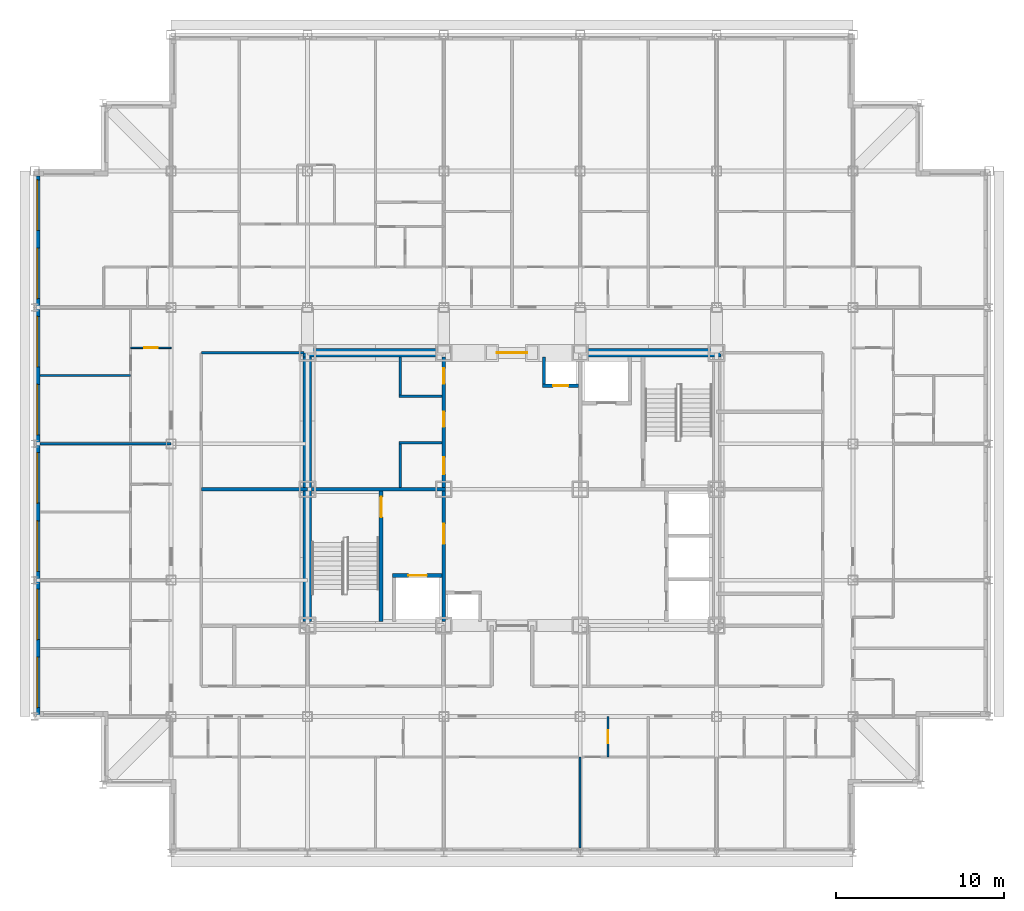
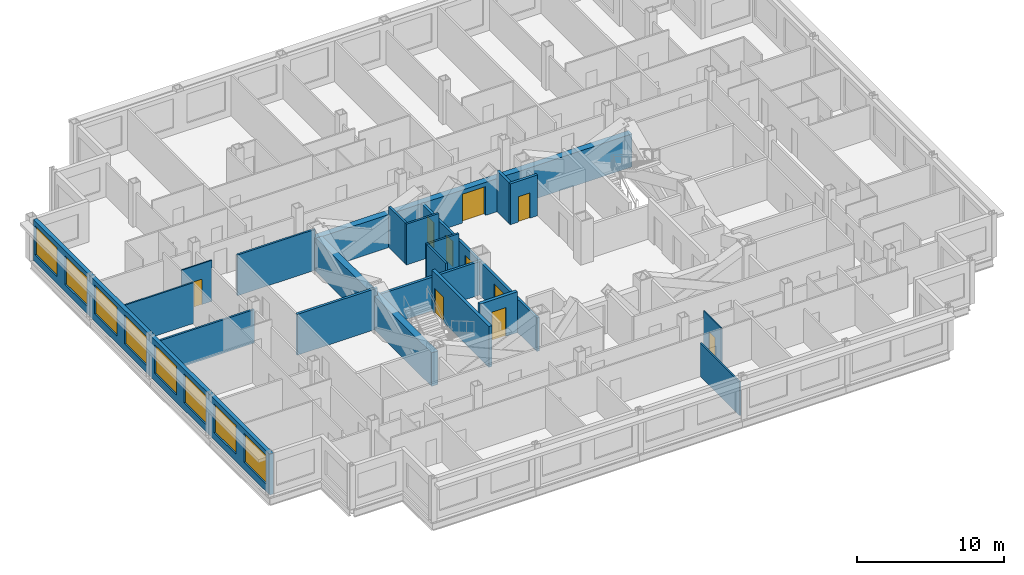
# One storey, part 6 of 12: 21 walls, 10 doors, 8 windows, 18 openings.
"""IFC4 building model written with IfcOpenShell, lengths in metres."""

from ifc_helpers import new_model, si_unit, direction, frame, frame_2d, origin, place, context, subcontext, project, spatial, rectangle, extrude, material, layer, layer_set, type_object, element, fill, save


model = new_model("IFC4")

# Units and contexts
model_context = context("Model", 3, precision=1e-05, world=origin(), true_north=direction((0.0, 1.0)))
body_context = subcontext(model_context, "Body", "Model", "MODEL_VIEW")
ifc_project = project(units=[si_unit("LENGTHUNIT", "METRE"), si_unit("AREAUNIT", "SQUARE_METRE"), si_unit("VOLUMEUNIT", "CUBIC_METRE"), si_unit("PLANEANGLEUNIT", "RADIAN"), si_unit("MASSUNIT", "GRAM", prefix="KILO")], contexts=[model_context])

# Site, building, storey
site_placement = place(None, origin())
site = spatial("IfcSite", under=ifc_project, at=site_placement, CompositionType="ELEMENT")
building_placement = place(site_placement, origin())
building = spatial("IfcBuilding", under=site, at=building_placement, Name="Kopane Lantern Tower", CompositionType="ELEMENT")
storey_placement = place(building_placement, frame((0.0, 0.0, 199.199951171875)))
storey = spatial("IfcBuildingStorey", under=building, at=storey_placement, Name="L51", CompositionType="ELEMENT", Elevation=199.199951171875)

# Walls
ifc_material_1 = material(Name="Gypsum board on steel studs", Category="steel")
ifc_layer_1 = layer(ifc_material_1, 0.1201171875)
ifc_layer_set_1 = layer_set([ifc_layer_1], Name="APARTMENT INTERNAL WALL 120")
wall_type_1 = type_object("IfcWallType", Name="APARTMENT INTERNAL WALL 120", PredefinedType="PARTITIONING", material=ifc_layer_set_1)
wall_1_placement = place(storey_placement, frame((32.39990234375, 16.5, 0.0), z_axis=(0.0, 0.0, 1.0), x_axis=(0.0, -1.0, 0.0)))
element("IfcWall", 1, at=wall_1_placement, inside=storey, type_object=wall_type_1, Name="Apartment Internal Wall 120 L51", PredefinedType="PARTITIONING", context=body_context, shape_type="SweptSolid", body=[
    extrude(rectangle(XDim=5.39990234375, YDim=0.1201171875, at=frame_2d((2.699951171875, 0.0))), origin(), (0.0, 0.0, 1.0), 2.77783203125),
])
wall_2_placement = place(storey_placement, frame((5.699951171875, 39.14990234375, 0.0), z_axis=(0.0, 0.0, 1.0), x_axis=(-1.0, 0.0, 0.0)))
element("IfcWall", 2, at=wall_2_placement, inside=storey, type_object=wall_type_1, Name="Apartment Internal Wall 120 L51", PredefinedType="PARTITIONING", context=body_context, shape_type="SweptSolid", body=[
    extrude(rectangle(XDim=5.39990234375, YDim=0.1201171875, at=frame_2d((2.699951171875, 0.0))), origin(), (0.0, 0.0, 1.0), 3.39013671875),
])

# Wall, opening, door
ifc_material_2 = material(Name="Moisture-resistant board on steel studs", Category="steel")
ifc_layer_2 = layer(ifc_material_2, 0.10009765625)
ifc_layer_set_2 = layer_set([ifc_layer_2], Name="BATHROOM WALL 100")
wall_type_2 = type_object("IfcWallType", Name="BATHROOM WALL 100", PredefinedType="PARTITIONING", material=ifc_layer_set_2)
wall_3_placement = place(storey_placement, frame((34.050048828125, 18.89990234375, 0.0), z_axis=(0.0, 0.0, 1.0), x_axis=(0.0, -1.0, 0.0)))
wall_3 = element("IfcWall", 3, at=wall_3_placement, inside=storey, type_object=wall_type_2, Name="Bathroom Wall 100 L51", PredefinedType="PARTITIONING", context=body_context, shape_type="SweptSolid", body=[
    extrude(rectangle(XDim=2.39990234375, YDim=0.10009765625, at=frame_2d((1.199951171875, 0.0))), origin(), (0.0, 0.0, 1.0), 3.39013671875),
])
opening_1_placement = place(wall_3_placement, frame((0.800048828125, 0.0, 0.0)))
opening_1 = element("IfcOpeningElement", 4, at=opening_1_placement, cuts=wall_3, Name="Opening L51-018", PredefinedType="OPENING", context=body_context, shape_type="SweptSolid", body=[
    extrude(rectangle(XDim=0.800048828125, YDim=2.10009765625, at=frame_2d((0.39990234375, 1.050048828125))), frame((0.0, 0.06005859375, 0.0), z_axis=(0.0, -1.0, 0.0), x_axis=(1.0, 0.0, 0.0)), (0.0, 0.0, 1.0), 0.1201171875),
])
ifc_material_3 = material(Name="Timber door set", Category="wood")
door_type_1 = type_object("IfcDoorType", Name="DOOR D2 800x2100", OperationType="SINGLE_SWING_LEFT", PredefinedType="DOOR", material=ifc_material_3)
door_1_placement = place(opening_1_placement, origin())
door_1 = element("IfcDoor", 5, at=door_1_placement, inside=storey, type_object=door_type_1, Name="Door L51-018", OperationType="SINGLE_SWING_LEFT", OverallHeight=2.10009765625, OverallWidth=0.800048828125, PredefinedType="DOOR", context=body_context, shape_type="SweptSolid", body=[
    extrude(rectangle(XDim=0.800048828125, YDim=2.10009765625, at=frame_2d((0.39990234375, 1.050048828125))), frame((0.0, 0.02490234375, 0.0), z_axis=(0.0, -1.0, 0.0), x_axis=(1.0, 0.0, 0.0)), (0.0, 0.0, 1.0), 0.050048828125),
])
fill(opening_1, door_1)

wall_4_placement = place(storey_placement, frame((8.10009765625, 40.800048828125, 0.0), z_axis=(0.0, 0.0, 1.0), x_axis=(-1.0, 0.0, 0.0)))
wall_4 = element("IfcWall", 6, at=wall_4_placement, inside=storey, type_object=wall_type_2, Name="Bathroom Wall 100 L51", PredefinedType="PARTITIONING", context=body_context, shape_type="SweptSolid", body=[
    extrude(rectangle(XDim=2.400146484375, YDim=0.10009765625, at=frame_2d((1.2001953125, 0.0))), origin(), (0.0, 0.0, 1.0), 3.39013671875),
])
opening_2_placement = place(wall_4_placement, frame((0.800048828125, 0.0, 0.0)))
opening_2 = element("IfcOpeningElement", 7, at=opening_2_placement, cuts=wall_4, Name="Opening L51-048", PredefinedType="OPENING", context=body_context, shape_type="SweptSolid", body=[
    extrude(rectangle(XDim=0.800048828125, YDim=2.10009765625, at=frame_2d((0.39990234375, 1.050048828125))), frame((0.0, 0.06005859375, 0.0), z_axis=(0.0, -1.0, 0.0), x_axis=(1.0, 0.0, 0.0)), (0.0, 0.0, 1.0), 0.1201171875),
])
door_2_placement = place(opening_2_placement, origin())
door_2 = element("IfcDoor", 8, at=door_2_placement, inside=storey, type_object=door_type_1, Name="Door L51-048", OperationType="SINGLE_SWING_RIGHT", OverallHeight=2.10009765625, OverallWidth=0.800048828125, PredefinedType="DOOR", context=body_context, shape_type="SweptSolid", body=[
    extrude(rectangle(XDim=0.800048828125, YDim=2.10009765625, at=frame_2d((0.39990234375, 1.050048828125))), frame((0.0, 0.02490234375, 0.0), z_axis=(0.0, -1.0, 0.0), x_axis=(1.0, 0.0, 0.0)), (0.0, 0.0, 1.0), 0.050048828125),
])
fill(opening_2, door_2)

ifc_material_4 = material(Name="Gypsum shaft wall EI 120", Category="gypsum")
ifc_layer_3 = layer(ifc_material_4, 0.5)
ifc_layer_set_3 = layer_set([ifc_layer_3], Name="CORE PERIMETER WALL 500 EI 120")
wall_type_3 = type_object("IfcWallType", Name="CORE PERIMETER WALL 500 EI 120", PredefinedType="SOLIDWALL", material=ifc_layer_set_3)
wall_5_placement = place(storey_placement, frame((15.949951171875, 40.5, 0.0), z_axis=(0.0, 0.0, 1.0), x_axis=(1.0, 0.0, 0.0)))
wall_5 = element("IfcWall", 9, at=wall_5_placement, inside=storey, type_object=wall_type_3, Name="Core shaft wall L51 PN", PredefinedType="SOLIDWALL", context=body_context, shape_type="SweptSolid", body=[
    extrude(rectangle(XDim=24.800048828125, YDim=0.5, at=frame_2d((12.39990234375, 0.0))), origin(), (0.0, 0.0, 1.0), 2.739990234375),
])
opening_3_placement = place(wall_5_placement, frame((11.5, 0.0, 0.0)))
opening_3 = element("IfcOpeningElement", 10, at=opening_3_placement, cuts=wall_5, Name="Opening 51.CE-N", PredefinedType="OPENING", context=body_context, shape_type="SweptSolid", body=[
    extrude(rectangle(XDim=1.800048828125, YDim=2.39990234375, at=frame_2d((0.89990234375, 1.199951171875))), frame((0.0, 0.260009765625, 0.0), z_axis=(0.0, -1.0, 0.0), x_axis=(1.0, 0.0, 0.0)), (0.0, 0.0, 1.0), 0.52001953125),
])
ifc_material_5 = material(Name="Steel door set", Category="steel")
door_type_2 = type_object("IfcDoorType", Name="CORE ENTRY DOOR 1800x2400 FD60S", OperationType="DOUBLE_DOOR_SINGLE_SWING", PredefinedType="DOOR", material=ifc_material_5)
door_3_placement = place(opening_3_placement, origin())
door_3 = element("IfcDoor", 11, at=door_3_placement, inside=storey, type_object=door_type_2, Name="Core entry door L51 north", OperationType="DOUBLE_DOOR_SINGLE_SWING", OverallHeight=2.39990234375, OverallWidth=1.800048828125, PredefinedType="DOOR", context=body_context, shape_type="SweptSolid", body=[
    extrude(rectangle(XDim=1.800048828125, YDim=2.39990234375, at=frame_2d((0.89990234375, 1.199951171875))), frame((0.0, 0.02490234375, 0.0), z_axis=(0.0, -1.0, 0.0), x_axis=(1.0, 0.0, 0.0)), (0.0, 0.0, 1.0), 0.050048828125),
])
fill(opening_3, door_3)

# Walls
wall_6_placement = place(storey_placement, frame((16.199951171875, 24.550048828125, 0.0), z_axis=(0.0, 0.0, 1.0), x_axis=(0.0, 1.0, 0.0)))
element("IfcWall", 12, at=wall_6_placement, inside=storey, type_object=wall_type_3, Name="Core shaft wall L51 PW", PredefinedType="SOLIDWALL", context=body_context, shape_type="SweptSolid", body=[
    extrude(rectangle(XDim=15.699951171875, YDim=0.5, at=frame_2d((7.85009765625, 0.0))), origin(), (0.0, 0.0, 1.0), 2.77783203125),
])
ifc_material_6 = material(Name="Gypsum partition EI 60", Category="gypsum")
ifc_layer_4 = layer(ifc_material_6, 0.14990234375)
ifc_layer_set_4 = layer_set([ifc_layer_4], Name="CORE ROOM PARTITION 150 EI 60")
wall_type_4 = type_object("IfcWallType", Name="CORE ROOM PARTITION 150 EI 60", PredefinedType="PARTITIONING", material=ifc_layer_set_4)
for number, where, z_axis, x_axis, name in (
    (13, (21.64990234375, 35.175048828125, 0.0), (0.0, 0.0, 1.0), (1.0, 0.0, 0.0), "Core room partition L51 WW1"),
    (14, (21.64990234375, 37.925048828125, 0.0), (0.0, 0.0, 1.0), (1.0, 0.0, 0.0), "Core room partition L51 WW2"),
):
    element("IfcWall", number, at=place(storey_placement, frame(where, z_axis=z_axis, x_axis=x_axis)), inside=storey, type_object=wall_type_4, Name=name, PredefinedType="PARTITIONING", context=body_context, shape_type="SweptSolid", body=[
        extrude(rectangle(XDim=2.550048828125, YDim=0.14990234375, at=frame_2d((1.27490234375, 0.0))), origin(), (0.0, 0.0, 1.0), 3.39013671875),
    ])
wall_7_placement = place(storey_placement, frame((21.72509765625, 32.5, 0.0), z_axis=(0.0, 0.0, 1.0), x_axis=(0.0, 1.0, 0.0)))
element("IfcWall", 15, at=wall_7_placement, inside=storey, type_object=wall_type_4, Name="Core room partition L51 WWB0", PredefinedType="PARTITIONING", context=body_context, shape_type="SweptSolid", body=[
    extrude(rectangle(XDim=2.60009765625, YDim=0.14990234375, at=frame_2d((1.300048828125, 0.0))), origin(), (0.0, 0.0, 1.0), 3.39013671875),
])
wall_8_placement = place(storey_placement, frame((21.72509765625, 38.0, 0.0), z_axis=(0.0, 0.0, 1.0), x_axis=(0.0, 1.0, 0.0)))
element("IfcWall", 16, at=wall_8_placement, inside=storey, type_object=wall_type_4, Name="Core room partition L51 WWB1", PredefinedType="PARTITIONING", context=body_context, shape_type="SweptSolid", body=[
    extrude(rectangle(XDim=2.25, YDim=0.14990234375, at=frame_2d((1.125, 0.0))), origin(), (0.0, 0.0, 1.0), 3.39013671875),
])

# Wall, openings, doors
ifc_material_7 = material(Name="Gypsum partition EI 60", Category="gypsum")
ifc_layer_5 = layer(ifc_material_7, 0.199951171875)
ifc_layer_set_5 = layer_set([ifc_layer_5], Name="CORE ROOM WALL 200 EI 60")
wall_type_5 = type_object("IfcWallType", Name="CORE ROOM WALL 200 EI 60", PredefinedType="PARTITIONING", material=ifc_layer_set_5)
wall_9_placement = place(storey_placement, frame((24.300048828125, 32.5, 0.0), z_axis=(0.0, 0.0, 1.0), x_axis=(0.0, 1.0, 0.0)))
wall_9 = element("IfcWall", 17, at=wall_9_placement, inside=storey, type_object=wall_type_5, Name="Core room wall L51 XW", PredefinedType="PARTITIONING", context=body_context, shape_type="SweptSolid", body=[
    extrude(rectangle(XDim=7.75, YDim=0.199951171875, at=frame_2d((3.875, 0.0))), origin(), (0.0, 0.0, 1.0), 2.77783203125),
])
opening_4_placement = place(wall_9_placement, frame((0.800048828125, 0.0, 0.0)))
opening_4 = element("IfcOpeningElement", 18, at=opening_4_placement, cuts=wall_9, Name="Opening 51.C30", PredefinedType="OPENING", context=body_context, shape_type="SweptSolid", body=[
    extrude(rectangle(XDim=1.0, YDim=2.10009765625, at=frame_2d((0.5, 1.050048828125))), frame((0.0, 0.10986328125, 0.0), z_axis=(0.0, -1.0, 0.0), x_axis=(1.0, 0.0, 0.0)), (0.0, 0.0, 1.0), 0.219970703125),
])
opening_5_placement = place(wall_9_placement, frame((3.60009765625, 0.0, 0.0)))
opening_5 = element("IfcOpeningElement", 19, at=opening_5_placement, cuts=wall_9, Name="Opening 51.C31", PredefinedType="OPENING", context=body_context, shape_type="SweptSolid", body=[
    extrude(rectangle(XDim=0.89990234375, YDim=2.10009765625, at=frame_2d((0.449951171875, 1.050048828125))), frame((0.0, 0.10986328125, 0.0), z_axis=(0.0, -1.0, 0.0), x_axis=(1.0, 0.0, 0.0)), (0.0, 0.0, 1.0), 0.219970703125),
])
opening_6_placement = place(wall_9_placement, frame((6.175048828125, 0.0, 0.0)))
opening_6 = element("IfcOpeningElement", 20, at=opening_6_placement, cuts=wall_9, Name="Opening 51.C32", PredefinedType="OPENING", context=body_context, shape_type="SweptSolid", body=[
    extrude(rectangle(XDim=0.89990234375, YDim=2.10009765625, at=frame_2d((0.449951171875, 1.050048828125))), frame((0.0, 0.10986328125, 0.0), z_axis=(0.0, -1.0, 0.0), x_axis=(1.0, 0.0, 0.0)), (0.0, 0.0, 1.0), 0.219970703125),
])
ifc_material_8 = material(Name="Steel door set", Category="steel")
door_type_3 = type_object("IfcDoorType", Name="CORE ROOM DOOR 1000x2100 FD30S", OperationType="SINGLE_SWING_RIGHT", PredefinedType="DOOR", material=ifc_material_8)
door_4_placement = place(opening_4_placement, origin())
door_4 = element("IfcDoor", 21, at=door_4_placement, inside=storey, type_object=door_type_3, Name="Door Concierge pantry L51", OperationType="SINGLE_SWING_LEFT", OverallHeight=2.10009765625, OverallWidth=1.0, PredefinedType="DOOR", context=body_context, shape_type="SweptSolid", body=[
    extrude(rectangle(XDim=1.0, YDim=2.10009765625, at=frame_2d((0.5, 1.050048828125))), frame((0.0, 0.02490234375, 0.0), z_axis=(0.0, -1.0, 0.0), x_axis=(1.0, 0.0, 0.0)), (0.0, 0.0, 1.0), 0.050048828125),
])
fill(opening_4, door_4)
ifc_material_9 = material(Name="Steel door set", Category="steel")
door_type_4 = type_object("IfcDoorType", Name="CORE ROOM DOOR 900x2100 FD60", OperationType="SINGLE_SWING_LEFT", PredefinedType="DOOR", material=ifc_material_9)
door_5_placement = place(opening_5_placement, origin())
door_5 = element("IfcDoor", 22, at=door_5_placement, inside=storey, type_object=door_type_4, Name="Door Residents storage L51", OperationType="SINGLE_SWING_RIGHT", OverallHeight=2.10009765625, OverallWidth=0.89990234375, PredefinedType="DOOR", context=body_context, shape_type="SweptSolid", body=[
    extrude(rectangle(XDim=0.89990234375, YDim=2.10009765625, at=frame_2d((0.449951171875, 1.050048828125))), frame((0.0, 0.02490234375, 0.0), z_axis=(0.0, -1.0, 0.0), x_axis=(1.0, 0.0, 0.0)), (0.0, 0.0, 1.0), 0.050048828125),
])
fill(opening_5, door_5)
door_6_placement = place(opening_6_placement, origin())
door_6 = element("IfcDoor", 23, at=door_6_placement, inside=storey, type_object=door_type_4, Name="Door Cleaner store L51", OperationType="SINGLE_SWING_LEFT", OverallHeight=2.10009765625, OverallWidth=0.89990234375, PredefinedType="DOOR", context=body_context, shape_type="SweptSolid", body=[
    extrude(rectangle(XDim=0.89990234375, YDim=2.10009765625, at=frame_2d((0.449951171875, 1.050048828125))), frame((0.0, 0.02490234375, 0.0), z_axis=(0.0, -1.0, 0.0), x_axis=(1.0, 0.0, 0.0)), (0.0, 0.0, 1.0), 0.050048828125),
])
fill(opening_6, door_6)

# Wall, opening, door
ifc_material_10 = material(Name="Gypsum shaft wall EI 120", Category="gypsum")
ifc_layer_6 = layer(ifc_material_10, 0.25)
ifc_layer_set_6 = layer_set([ifc_layer_6], Name="CORE SHAFT WALL 250 EI 120")
wall_type_6 = type_object("IfcWallType", Name="CORE SHAFT WALL 250 EI 120", PredefinedType="SOLIDWALL", material=ifc_layer_set_6)
wall_10_placement = place(storey_placement, frame((20.574951171875, 24.550048828125, 0.0), z_axis=(0.0, 0.0, 1.0), x_axis=(0.0, 1.0, 0.0)))
wall_10 = element("IfcWall", 24, at=wall_10_placement, inside=storey, type_object=wall_type_6, Name="Core shaft wall L51 XST1", PredefinedType="SOLIDWALL", context=body_context, shape_type="SweptSolid", body=[
    extrude(rectangle(XDim=7.75, YDim=0.25, at=frame_2d((3.875, 0.0))), origin(), (0.0, 0.0, 1.0), 3.39013671875),
])
opening_7_placement = place(wall_10_placement, frame((6.199951171875, 0.0, 0.0)))
opening_7 = element("IfcOpeningElement", 25, at=opening_7_placement, cuts=wall_10, Name="Opening 51.SD1", PredefinedType="OPENING", context=body_context, shape_type="SweptSolid", body=[
    extrude(rectangle(XDim=1.199951171875, YDim=2.10009765625, at=frame_2d((0.60009765625, 1.050048828125))), frame((0.0, 0.135009765625, 0.0), z_axis=(0.0, -1.0, 0.0), x_axis=(1.0, 0.0, 0.0)), (0.0, 0.0, 1.0), 0.27001953125),
])
ifc_material_11 = material(Name="Steel door set", Category="steel")
door_type_5 = type_object("IfcDoorType", Name="STAIR DOOR 1200x2100 FD60S", OperationType="SINGLE_SWING_LEFT", PredefinedType="DOOR", material=ifc_material_11)
door_7_placement = place(opening_7_placement, origin())
door_7 = element("IfcDoor", 26, at=door_7_placement, inside=storey, type_object=door_type_5, Name="Stair door ST1 L51", OperationType="SINGLE_SWING_LEFT", OverallHeight=2.10009765625, OverallWidth=1.199951171875, PredefinedType="DOOR", context=body_context, shape_type="SweptSolid", body=[
    extrude(rectangle(XDim=1.199951171875, YDim=2.10009765625, at=frame_2d((0.60009765625, 1.050048828125))), frame((0.0, 0.02490234375, 0.0), z_axis=(0.0, -1.0, 0.0), x_axis=(1.0, 0.0, 0.0)), (0.0, 0.0, 1.0), 0.050048828125),
])
fill(opening_7, door_7)

wall_11_placement = place(storey_placement, frame((21.25, 27.27490234375, 0.0), z_axis=(0.0, 0.0, 1.0), x_axis=(1.0, 0.0, 0.0)))
wall_11 = element("IfcWall", 27, at=wall_11_placement, inside=storey, type_object=wall_type_6, Name="Core shaft wall L51 YLF1", PredefinedType="SOLIDWALL", context=body_context, shape_type="SweptSolid", body=[
    extrude(rectangle(XDim=2.949951171875, YDim=0.25, at=frame_2d((1.47509765625, 0.0))), origin(), (0.0, 0.0, 1.0), 3.39013671875),
])
opening_8_placement = place(wall_11_placement, frame((0.949951171875, 0.0, 0.0)))
opening_8 = element("IfcOpeningElement", 28, at=opening_8_placement, cuts=wall_11, Name="Opening 51.LD-LF1", PredefinedType="OPENING", context=body_context, shape_type="SweptSolid", body=[
    extrude(rectangle(XDim=1.10009765625, YDim=2.39990234375, at=frame_2d((0.550048828125, 1.199951171875))), frame((0.0, 0.135009765625, 0.0), z_axis=(0.0, -1.0, 0.0), x_axis=(1.0, 0.0, 0.0)), (0.0, 0.0, 1.0), 0.27001953125),
])
ifc_material_12 = material(Name="Steel door set", Category="steel")
door_type_6 = type_object("IfcDoorType", Name="LIFT LANDING DOOR 1100x2400 FD60", OperationType="DOUBLE_DOOR_SLIDING", PredefinedType="DOOR", material=ifc_material_12)
door_8_placement = place(opening_8_placement, origin())
door_8 = element("IfcDoor", 29, at=door_8_placement, inside=storey, type_object=door_type_6, Name="Landing door LF1 L51", OperationType="DOUBLE_DOOR_SLIDING", OverallHeight=2.39990234375, OverallWidth=1.10009765625, PredefinedType="DOOR", context=body_context, shape_type="SweptSolid", body=[
    extrude(rectangle(XDim=1.10009765625, YDim=2.39990234375, at=frame_2d((0.550048828125, 1.199951171875))), frame((0.0, 0.02490234375, 0.0), z_axis=(0.0, -1.0, 0.0), x_axis=(1.0, 0.0, 0.0)), (0.0, 0.0, 1.0), 0.050048828125),
])
fill(opening_8, door_8)

# Walls
ifc_material_13 = material(Name="Gypsum board on steel studs", Category="steel")
ifc_layer_7 = layer(ifc_material_13, 0.14990234375)
ifc_layer_set_7 = layer_set([ifc_layer_7], Name="CORRIDOR WALL 150 EI 60")
wall_type_7 = type_object("IfcWallType", Name="CORRIDOR WALL 150 EI 60", PredefinedType="PARTITIONING", material=ifc_layer_set_7)
wall_12_placement = place(storey_placement, frame((16.0, 40.5, 0.0), z_axis=(0.0, 0.0, 1.0), x_axis=(-1.0, 0.0, 0.0)))
element("IfcWall", 30, at=wall_12_placement, inside=storey, type_object=wall_type_7, Name="Corridor Wall 150 Ei 60 L51", PredefinedType="PARTITIONING", context=body_context, shape_type="SweptSolid", body=[
    extrude(rectangle(XDim=6.10009765625, YDim=0.14990234375, at=frame_2d((3.050048828125, 0.0))), origin(), (0.0, 0.0, 1.0), 3.39013671875),
])
ifc_material_14 = material(Name="Gypsum board on steel studs", Category="steel")
ifc_layer_8 = layer(ifc_material_14, 0.14990234375)
ifc_layer_set_8 = layer_set([ifc_layer_8], Name="DEMISING WALL 150 EI 60")
wall_type_8 = type_object("IfcWallType", Name="DEMISING WALL 150 EI 60", PredefinedType="PARTITIONING", material=ifc_layer_set_8)
wall_13_placement = place(storey_placement, frame((8.10009765625, 35.10009765625, 0.0), z_axis=(0.0, 0.0, 1.0), x_axis=(-1.0, 0.0, 0.0)))
element("IfcWall", 31, at=wall_13_placement, inside=storey, type_object=wall_type_8, Name="Demising Wall 150 Ei 60 L51", PredefinedType="PARTITIONING", context=body_context, shape_type="SweptSolid", body=[
    extrude(rectangle(XDim=7.800048828125, YDim=0.14990234375, at=frame_2d((3.89990234375, 0.0))), origin(), (0.0, 0.0, 1.0), 2.77783203125),
])

# Wall, openings, windows
ifc_material_15 = material(Name="Terracotta rainscreen on light steel framing", Category="masonry")
ifc_layer_9 = layer(ifc_material_15, 0.300048828125)
ifc_layer_set_9 = layer_set([ifc_layer_9], Name="EXTERNAL WALL EW1 300 TERRACOTTA")
wall_type_9 = type_object("IfcWallType", Name="EXTERNAL WALL EW1 300 TERRACOTTA", PredefinedType="SOLIDWALL", material=ifc_layer_set_9)
wall_14_placement = place(storey_placement, frame((0.14990234375, 51.0, 0.0), z_axis=(0.0, 0.0, 1.0), x_axis=(0.0, -1.0, 0.0)))
wall_14 = element("IfcWall", 32, at=wall_14_placement, inside=storey, type_object=wall_type_9, Name="External wall W L51", PredefinedType="SOLIDWALL", context=body_context, shape_type="SweptSolid", body=[
    extrude(rectangle(XDim=32.10009765625, YDim=0.300048828125, at=frame_2d((16.050048828125, 0.0))), origin(), (0.0, 0.0, 1.0), 3.39013671875),
])
opening_9_placement = place(wall_14_placement, frame((0.22509765625, 0.0, 0.60009765625)))
opening_9 = element("IfcOpeningElement", 33, at=opening_9_placement, cuts=wall_14, Name="Opening WR300240", PredefinedType="OPENING", context=body_context, shape_type="SweptSolid", body=[
    extrude(rectangle(XDim=3.0, YDim=2.39990234375, at=frame_2d((1.5, 1.199951171875))), frame((0.0, 0.159912109375, 0.0), z_axis=(0.0, -1.0, 0.0), x_axis=(1.0, 0.0, 0.0)), (0.0, 0.0, 1.0), 0.320068359375),
])
opening_10_placement = place(wall_14_placement, frame((4.27490234375, 0.0, 0.60009765625)))
opening_10 = element("IfcOpeningElement", 34, at=opening_10_placement, cuts=wall_14, Name="Opening WR300240", PredefinedType="OPENING", context=body_context, shape_type="SweptSolid", body=[
    extrude(rectangle(XDim=3.0, YDim=2.39990234375, at=frame_2d((1.5, 1.199951171875))), frame((0.0, 0.159912109375, 0.0), z_axis=(0.0, -1.0, 0.0), x_axis=(1.0, 0.0, 0.0)), (0.0, 0.0, 1.0), 0.320068359375),
])
opening_11_placement = place(wall_14_placement, frame((8.324951171875, 0.0, 0.60009765625)))
opening_11 = element("IfcOpeningElement", 35, at=opening_11_placement, cuts=wall_14, Name="Opening WR300240", PredefinedType="OPENING", context=body_context, shape_type="SweptSolid", body=[
    extrude(rectangle(XDim=3.0, YDim=2.39990234375, at=frame_2d((1.5, 1.199951171875))), frame((0.0, 0.159912109375, 0.0), z_axis=(0.0, -1.0, 0.0), x_axis=(1.0, 0.0, 0.0)), (0.0, 0.0, 1.0), 0.320068359375),
])
opening_12_placement = place(wall_14_placement, frame((12.375, 0.0, 0.60009765625)))
opening_12 = element("IfcOpeningElement", 36, at=opening_12_placement, cuts=wall_14, Name="Opening WR300240", PredefinedType="OPENING", context=body_context, shape_type="SweptSolid", body=[
    extrude(rectangle(XDim=3.0, YDim=2.39990234375, at=frame_2d((1.5, 1.199951171875))), frame((0.0, 0.159912109375, 0.0), z_axis=(0.0, -1.0, 0.0), x_axis=(1.0, 0.0, 0.0)), (0.0, 0.0, 1.0), 0.320068359375),
])
opening_13_placement = place(wall_14_placement, frame((16.425048828125, 0.0, 0.60009765625)))
opening_13 = element("IfcOpeningElement", 37, at=opening_13_placement, cuts=wall_14, Name="Opening WR300240", PredefinedType="OPENING", context=body_context, shape_type="SweptSolid", body=[
    extrude(rectangle(XDim=3.0, YDim=2.39990234375, at=frame_2d((1.5, 1.199951171875))), frame((0.0, 0.159912109375, 0.0), z_axis=(0.0, -1.0, 0.0), x_axis=(1.0, 0.0, 0.0)), (0.0, 0.0, 1.0), 0.320068359375),
])
opening_14_placement = place(wall_14_placement, frame((20.47509765625, 0.0, 0.60009765625)))
opening_14 = element("IfcOpeningElement", 38, at=opening_14_placement, cuts=wall_14, Name="Opening WR300240", PredefinedType="OPENING", context=body_context, shape_type="SweptSolid", body=[
    extrude(rectangle(XDim=3.0, YDim=2.39990234375, at=frame_2d((1.5, 1.199951171875))), frame((0.0, 0.159912109375, 0.0), z_axis=(0.0, -1.0, 0.0), x_axis=(1.0, 0.0, 0.0)), (0.0, 0.0, 1.0), 0.320068359375),
])
opening_15_placement = place(wall_14_placement, frame((24.52490234375, 0.0, 0.60009765625)))
opening_15 = element("IfcOpeningElement", 39, at=opening_15_placement, cuts=wall_14, Name="Opening WR300240", PredefinedType="OPENING", context=body_context, shape_type="SweptSolid", body=[
    extrude(rectangle(XDim=3.0, YDim=2.39990234375, at=frame_2d((1.5, 1.199951171875))), frame((0.0, 0.159912109375, 0.0), z_axis=(0.0, -1.0, 0.0), x_axis=(1.0, 0.0, 0.0)), (0.0, 0.0, 1.0), 0.320068359375),
])
opening_16_placement = place(wall_14_placement, frame((28.574951171875, 0.0, 0.60009765625)))
opening_16 = element("IfcOpeningElement", 40, at=opening_16_placement, cuts=wall_14, Name="Opening WR300240", PredefinedType="OPENING", context=body_context, shape_type="SweptSolid", body=[
    extrude(rectangle(XDim=3.0, YDim=2.39990234375, at=frame_2d((1.5, 1.199951171875))), frame((0.0, 0.159912109375, 0.0), z_axis=(0.0, -1.0, 0.0), x_axis=(1.0, 0.0, 0.0)), (0.0, 0.0, 1.0), 0.320068359375),
])
ifc_material_16 = material(Name="Aluminium and clear glass", Category="aluminium")
window_type = type_object("IfcWindowType", Name="RIBBON WINDOW WR300240 3000x2400", PartitioningType="SINGLE_PANEL", PredefinedType="WINDOW", material=ifc_material_16)
window_1_placement = place(opening_9_placement, origin())
window_1 = element("IfcWindow", 41, at=window_1_placement, inside=storey, type_object=window_type, Name="Window W L51", OverallHeight=2.39990234375, OverallWidth=3.0, PartitioningType="SINGLE_PANEL", PredefinedType="WINDOW", context=body_context, shape_type="SweptSolid", body=[
    extrude(rectangle(XDim=3.0, YDim=2.39990234375, at=frame_2d((1.5, 1.199951171875))), frame((0.0, 0.030029296875, 0.0), z_axis=(0.0, -1.0, 0.0), x_axis=(1.0, 0.0, 0.0)), (0.0, 0.0, 1.0), 0.06005859375),
])
fill(opening_9, window_1)
window_2_placement = place(opening_10_placement, origin())
window_2 = element("IfcWindow", 42, at=window_2_placement, inside=storey, type_object=window_type, Name="Window W L51", OverallHeight=2.39990234375, OverallWidth=3.0, PartitioningType="SINGLE_PANEL", PredefinedType="WINDOW", context=body_context, shape_type="SweptSolid", body=[
    extrude(rectangle(XDim=3.0, YDim=2.39990234375, at=frame_2d((1.5, 1.199951171875))), frame((0.0, 0.030029296875, 0.0), z_axis=(0.0, -1.0, 0.0), x_axis=(1.0, 0.0, 0.0)), (0.0, 0.0, 1.0), 0.06005859375),
])
fill(opening_10, window_2)
window_3_placement = place(opening_11_placement, origin())
window_3 = element("IfcWindow", 43, at=window_3_placement, inside=storey, type_object=window_type, Name="Window W L51", OverallHeight=2.39990234375, OverallWidth=3.0, PartitioningType="SINGLE_PANEL", PredefinedType="WINDOW", context=body_context, shape_type="SweptSolid", body=[
    extrude(rectangle(XDim=3.0, YDim=2.39990234375, at=frame_2d((1.5, 1.199951171875))), frame((0.0, 0.030029296875, 0.0), z_axis=(0.0, -1.0, 0.0), x_axis=(1.0, 0.0, 0.0)), (0.0, 0.0, 1.0), 0.06005859375),
])
fill(opening_11, window_3)
window_4_placement = place(opening_12_placement, origin())
window_4 = element("IfcWindow", 44, at=window_4_placement, inside=storey, type_object=window_type, Name="Window W L51", OverallHeight=2.39990234375, OverallWidth=3.0, PartitioningType="SINGLE_PANEL", PredefinedType="WINDOW", context=body_context, shape_type="SweptSolid", body=[
    extrude(rectangle(XDim=3.0, YDim=2.39990234375, at=frame_2d((1.5, 1.199951171875))), frame((0.0, 0.030029296875, 0.0), z_axis=(0.0, -1.0, 0.0), x_axis=(1.0, 0.0, 0.0)), (0.0, 0.0, 1.0), 0.06005859375),
])
fill(opening_12, window_4)
window_5_placement = place(opening_13_placement, origin())
window_5 = element("IfcWindow", 45, at=window_5_placement, inside=storey, type_object=window_type, Name="Window W L51", OverallHeight=2.39990234375, OverallWidth=3.0, PartitioningType="SINGLE_PANEL", PredefinedType="WINDOW", context=body_context, shape_type="SweptSolid", body=[
    extrude(rectangle(XDim=3.0, YDim=2.39990234375, at=frame_2d((1.5, 1.199951171875))), frame((0.0, 0.030029296875, 0.0), z_axis=(0.0, -1.0, 0.0), x_axis=(1.0, 0.0, 0.0)), (0.0, 0.0, 1.0), 0.06005859375),
])
fill(opening_13, window_5)
window_6_placement = place(opening_14_placement, origin())
window_6 = element("IfcWindow", 46, at=window_6_placement, inside=storey, type_object=window_type, Name="Window W L51", OverallHeight=2.39990234375, OverallWidth=3.0, PartitioningType="SINGLE_PANEL", PredefinedType="WINDOW", context=body_context, shape_type="SweptSolid", body=[
    extrude(rectangle(XDim=3.0, YDim=2.39990234375, at=frame_2d((1.5, 1.199951171875))), frame((0.0, 0.030029296875, 0.0), z_axis=(0.0, -1.0, 0.0), x_axis=(1.0, 0.0, 0.0)), (0.0, 0.0, 1.0), 0.06005859375),
])
fill(opening_14, window_6)
window_7_placement = place(opening_15_placement, origin())
window_7 = element("IfcWindow", 47, at=window_7_placement, inside=storey, type_object=window_type, Name="Window W L51", OverallHeight=2.39990234375, OverallWidth=3.0, PartitioningType="SINGLE_PANEL", PredefinedType="WINDOW", context=body_context, shape_type="SweptSolid", body=[
    extrude(rectangle(XDim=3.0, YDim=2.39990234375, at=frame_2d((1.5, 1.199951171875))), frame((0.0, 0.030029296875, 0.0), z_axis=(0.0, -1.0, 0.0), x_axis=(1.0, 0.0, 0.0)), (0.0, 0.0, 1.0), 0.06005859375),
])
fill(opening_15, window_7)
window_8_placement = place(opening_16_placement, origin())
window_8 = element("IfcWindow", 48, at=window_8_placement, inside=storey, type_object=window_type, Name="Window W L51", OverallHeight=2.39990234375, OverallWidth=3.0, PartitioningType="SINGLE_PANEL", PredefinedType="WINDOW", context=body_context, shape_type="SweptSolid", body=[
    extrude(rectangle(XDim=3.0, YDim=2.39990234375, at=frame_2d((1.5, 1.199951171875))), frame((0.0, 0.030029296875, 0.0), z_axis=(0.0, -1.0, 0.0), x_axis=(1.0, 0.0, 0.0)), (0.0, 0.0, 1.0), 0.06005859375),
])
fill(opening_16, window_8)

# Walls
ifc_material_17 = material(Name="Concrete masonry", Category="masonry")
ifc_layer_10 = layer(ifc_material_17, 0.199951171875)
ifc_layer_set_10 = layer_set([ifc_layer_10], Name="PLANT ROOM WALL 200 EI 120")
wall_type_10 = type_object("IfcWallType", Name="PLANT ROOM WALL 200 EI 120", PredefinedType="SOLIDWALL", material=ifc_layer_set_10)
wall_15_placement = place(storey_placement, frame((9.89990234375, 32.39990234375, 0.0), z_axis=(0.0, 0.0, 1.0), x_axis=(1.0, 0.0, 0.0)))
element("IfcWall", 49, at=wall_15_placement, inside=storey, type_object=wall_type_10, Name="Plant Room Wall 200 Ei 120 L51", PredefinedType="SOLIDWALL", context=body_context, shape_type="SweptSolid", body=[
    extrude(rectangle(XDim=6.300048828125, YDim=0.199951171875, at=frame_2d((3.14990234375, 0.0))), origin(), (0.0, 0.0, 1.0), 3.39013671875),
])
ifc_material_18 = material(Name="Gypsum shaft wall EI 120", Category="gypsum")
ifc_layer_11 = layer(ifc_material_18, 0.199951171875)
ifc_layer_set_11 = layer_set([ifc_layer_11], Name="SHAFT WALL 200 EI 120")
wall_type_11 = type_object("IfcWallType", Name="SHAFT WALL 200 EI 120", PredefinedType="SOLIDWALL", material=ifc_layer_set_11)
wall_16_placement = place(storey_placement, frame((16.449951171875, 32.39990234375, 0.0), z_axis=(0.0, 0.0, 1.0), x_axis=(1.0, 0.0, 0.0)))
element("IfcWall", 50, at=wall_16_placement, inside=storey, type_object=wall_type_11, Name="Core shaft wall L51 Y324W", PredefinedType="SOLIDWALL", context=body_context, shape_type="SweptSolid", body=[
    extrude(rectangle(XDim=7.949951171875, YDim=0.199951171875, at=frame_2d((3.97509765625, 0.0))), origin(), (0.0, 0.0, 1.0), 2.77783203125),
])

# Wall, opening, door
wall_17_placement = place(storey_placement, frame((24.300048828125, 24.550048828125, 0.0), z_axis=(0.0, 0.0, 1.0), x_axis=(0.0, 1.0, 0.0)))
wall_17 = element("IfcWall", 51, at=wall_17_placement, inside=storey, type_object=wall_type_11, Name="Core shaft wall L51 X243", PredefinedType="SOLIDWALL", context=body_context, shape_type="SweptSolid", body=[
    extrude(rectangle(XDim=7.75, YDim=0.199951171875, at=frame_2d((3.875, 0.0))), origin(), (0.0, 0.0, 1.0), 2.77783203125),
])
opening_17_placement = place(wall_17_placement, frame((4.60009765625, 0.0, 0.0)))
opening_17 = element("IfcOpeningElement", 52, at=opening_17_placement, cuts=wall_17, Name="Opening 51.FL1", PredefinedType="OPENING", context=body_context, shape_type="SweptSolid", body=[
    extrude(rectangle(XDim=1.199951171875, YDim=2.10009765625, at=frame_2d((0.60009765625, 1.050048828125))), frame((0.0, 0.10986328125, 0.0), z_axis=(0.0, -1.0, 0.0), x_axis=(1.0, 0.0, 0.0)), (0.0, 0.0, 1.0), 0.219970703125),
])
ifc_material_19 = material(Name="Steel door set", Category="steel")
door_type_7 = type_object("IfcDoorType", Name="FIREFIGHTING LOBBY DOOR 1200x2100 FD60S", OperationType="SINGLE_SWING_RIGHT", PredefinedType="DOOR", material=ifc_material_19)
door_9_placement = place(opening_17_placement, origin())
door_9 = element("IfcDoor", 53, at=door_9_placement, inside=storey, type_object=door_type_7, Name="Firefighting lobby door FL1 L51", OperationType="SINGLE_SWING_LEFT", OverallHeight=2.10009765625, OverallWidth=1.199951171875, PredefinedType="DOOR", context=body_context, shape_type="SweptSolid", body=[
    extrude(rectangle(XDim=1.199951171875, YDim=2.10009765625, at=frame_2d((0.60009765625, 1.050048828125))), frame((0.0, 0.02490234375, 0.0), z_axis=(0.0, -1.0, 0.0), x_axis=(1.0, 0.0, 0.0)), (0.0, 0.0, 1.0), 0.050048828125),
])
fill(opening_17, door_9)

# Wall
wall_18_placement = place(storey_placement, frame((30.25, 38.64990234375, 0.0), z_axis=(0.0, 0.0, 1.0), x_axis=(0.0, 1.0, 0.0)))
element("IfcWall", 54, at=wall_18_placement, inside=storey, type_object=wall_type_11, Name="Core shaft wall L51 XRS2", PredefinedType="SOLIDWALL", context=body_context, shape_type="SweptSolid", body=[
    extrude(rectangle(XDim=1.60009765625, YDim=0.199951171875, at=frame_2d((0.800048828125, 0.0))), origin(), (0.0, 0.0, 1.0), 3.39013671875),
])

# Wall, opening, door
wall_19_placement = place(storey_placement, frame((30.14990234375, 38.550048828125, 0.0), z_axis=(0.0, 0.0, 1.0), x_axis=(1.0, 0.0, 0.0)))
wall_19 = element("IfcWall", 55, at=wall_19_placement, inside=storey, type_object=wall_type_11, Name="Core shaft wall L51 YRS2", PredefinedType="SOLIDWALL", context=body_context, shape_type="SweptSolid", body=[
    extrude(rectangle(XDim=2.150146484375, YDim=0.199951171875, at=frame_2d((1.0751953125, 0.0))), origin(), (0.0, 0.0, 1.0), 3.39013671875),
])
opening_18_placement = place(wall_19_placement, frame((0.64990234375, 0.0, 0.0)))
opening_18 = element("IfcOpeningElement", 56, at=opening_18_placement, cuts=wall_19, Name="Opening 51.RS2", PredefinedType="OPENING", context=body_context, shape_type="SweptSolid", body=[
    extrude(rectangle(XDim=0.89990234375, YDim=2.10009765625, at=frame_2d((0.449951171875, 1.050048828125))), frame((0.0, 0.10986328125, 0.0), z_axis=(0.0, -1.0, 0.0), x_axis=(1.0, 0.0, 0.0)), (0.0, 0.0, 1.0), 0.219970703125),
])
ifc_material_20 = material(Name="Steel door set", Category="steel")
door_type_8 = type_object("IfcDoorType", Name="RISER ACCESS DOOR 900x2100 FD60", OperationType="SINGLE_SWING_LEFT", PredefinedType="DOOR", material=ifc_material_20)
door_10_placement = place(opening_18_placement, origin())
door_10 = element("IfcDoor", 57, at=door_10_placement, inside=storey, type_object=door_type_8, Name="Riser access door RS2 L51", OperationType="SINGLE_SWING_LEFT", OverallHeight=2.10009765625, OverallWidth=0.89990234375, PredefinedType="DOOR", context=body_context, shape_type="SweptSolid", body=[
    extrude(rectangle(XDim=0.89990234375, YDim=2.10009765625, at=frame_2d((0.449951171875, 1.050048828125))), frame((0.0, 0.02490234375, 0.0), z_axis=(0.0, -1.0, 0.0), x_axis=(1.0, 0.0, 0.0)), (0.0, 0.0, 1.0), 0.050048828125),
])
fill(opening_18, door_10)

save(model, "model.ifc")
